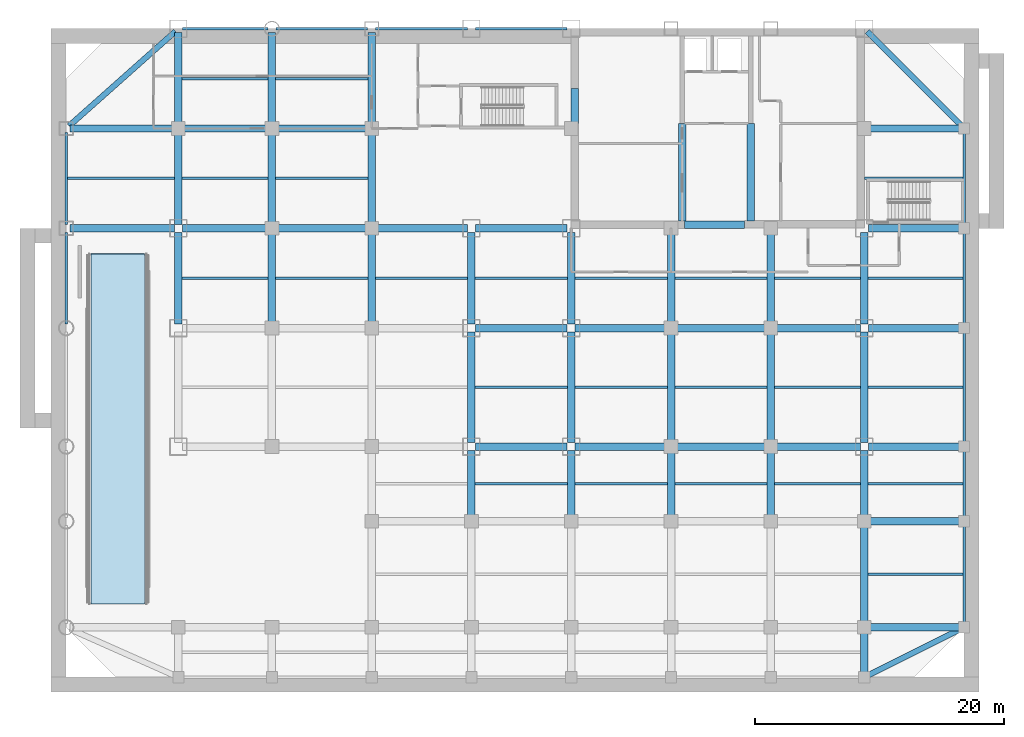
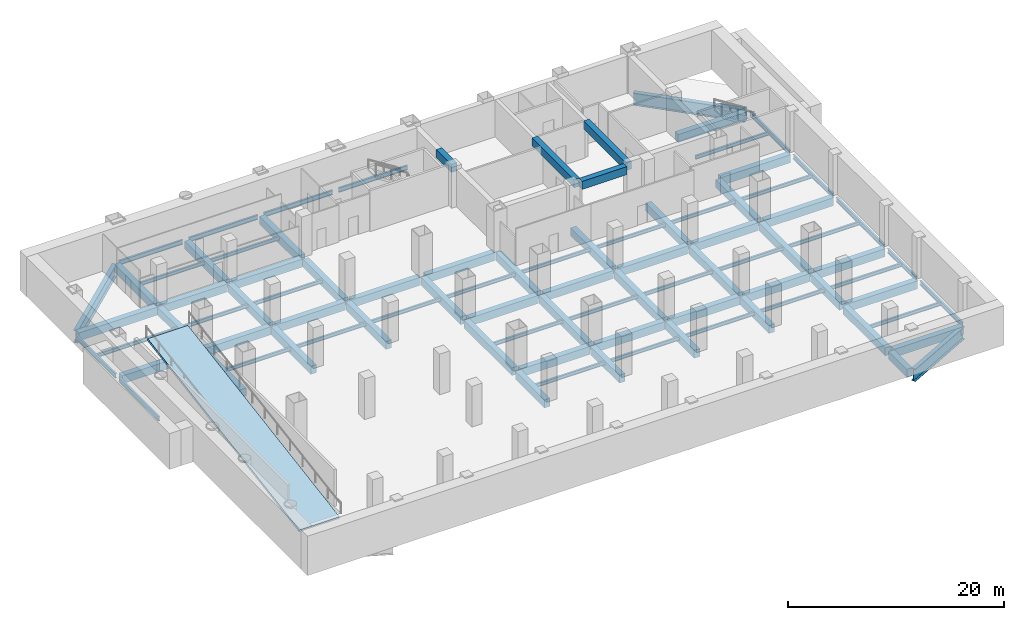
# One storey, part 2 of 8: 91 beams, 1 slab.
"""IFC4 building model written with IfcOpenShell, lengths in metres."""

import ifcopenshell
import ifcopenshell.guid

model = None  # the IFC model being written
_history = None  # IfcOwnerHistory: only IFC2X3 demands one
_inside = {}  # id of a spatial element -> (the spatial element, [elements in it])
_under = {}  # id of a project, library or spatial element -> (it, [spatial elements below it])
_declared = {}  # id of a project -> (the project, [libraries it declares])
_typed = {}  # id of a type object -> (the type object, [elements of that type])
_made_of = {}  # id of a material, layer set ... -> (it, [elements and type objects made of it])


def new_model(schema):
    """Start an empty IFC model of exactly this schema.

    Asked for "IFC4X3", IfcOpenShell would pick the latest addendum, in which some entities
    have other attributes; the version numbers below select the first issue.
    IFC2X3 requires an IfcOwnerHistory on every rooted entity: one is made here for all.
    """
    global model, _history
    if schema == "IFC4X3":
        model = ifcopenshell.file(schema_version=(4, 3, 0, 0))
    else:
        model = ifcopenshell.file(schema=schema)
    _inside.clear()
    _under.clear()
    _declared.clear()
    _typed.clear()
    _made_of.clear()
    _history = None
    if model.schema == "IFC2X3":
        org = make("IfcOrganization", Name="unknown")
        user = make(
            "IfcPersonAndOrganization",
            ThePerson=make("IfcPerson", FamilyName="unknown"),
            TheOrganization=org,
        )
        app = make(
            "IfcApplication",
            ApplicationDeveloper=org,
            Version="unknown",
            ApplicationFullName="unknown",
            ApplicationIdentifier="unknown",
        )
        _history = make(
            "IfcOwnerHistory",
            OwningUser=user,
            OwningApplication=app,
            ChangeAction="ADDED",
            CreationDate=0,
        )
    return model


def make(cls, **values):
    """One entity of the class cls with the attributes given. An attribute that is None is left unset."""
    return model.create_entity(
        cls, **{name: value for name, value in values.items() if value is not None}
    )


def rooted(cls, **values):
    """An entity with a GlobalId (a new one), such as an element, a storey or a relation."""
    return make(cls, GlobalId=ifcopenshell.guid.new(), OwnerHistory=_history, **values)


def si_unit(unit_type, name, prefix=None):
    """IfcSIUnit, for example si_unit("LENGTHUNIT", "METRE", prefix="MILLI")."""
    return make("IfcSIUnit", UnitType=unit_type, Prefix=prefix, Name=name)


def assignment(units):
    """IfcUnitAssignment: the units of a project."""
    return None if units is None else make("IfcUnitAssignment", Units=units)


def point(xyz):
    """IfcCartesianPoint."""
    return None if xyz is None else make("IfcCartesianPoint", Coordinates=xyz)


def direction(xyz):
    """IfcDirection."""
    return None if xyz is None else make("IfcDirection", DirectionRatios=xyz)


def frame(location, z_axis=None, x_axis=None):
    """IfcAxis2Placement3D, a coordinate frame: its origin and axes. An axis left out is left unset."""
    return make(
        "IfcAxis2Placement3D",
        Location=point(location),
        Axis=direction(z_axis),
        RefDirection=direction(x_axis),
    )


def frame_2d(location, x_axis=None):
    """IfcAxis2Placement2D, a coordinate frame in the plane: its origin and x axis."""
    return make(
        "IfcAxis2Placement2D", Location=point(location), RefDirection=direction(x_axis)
    )


def origin():
    """The frame at (0, 0, 0) with its axes left unset."""
    return frame((0.0, 0.0, 0.0))


def origin_2d():
    """The frame at (0, 0) in the plane with its x axis left unset."""
    return frame_2d((0.0, 0.0))


def place(relative_to, where):
    """IfcLocalPlacement: puts the frame where relative to a parent placement (None: the world)."""
    return make(
        "IfcLocalPlacement", PlacementRelTo=relative_to, RelativePlacement=where
    )


def context(
    kind, dimensions, precision=None, world=None, true_north=None, identifier=None
):
    """IfcGeometricRepresentationContext, for example the 3D "Model" context."""
    return make(
        "IfcGeometricRepresentationContext",
        ContextIdentifier=identifier,
        ContextType=kind,
        CoordinateSpaceDimension=dimensions,
        Precision=precision,
        WorldCoordinateSystem=world,
        TrueNorth=true_north,
    )


def subcontext(parent, identifier, kind, view, scale=None):
    """IfcGeometricRepresentationSubContext, for example "Body" below "Model"."""
    return make(
        "IfcGeometricRepresentationSubContext",
        ContextIdentifier=identifier,
        ContextType=kind,
        ParentContext=parent,
        TargetScale=scale,
        TargetView=view,
    )


def project(units=None, contexts=None):
    """IfcProject with its units and contexts."""
    return rooted(
        "IfcProject",
        Name="project",
        RepresentationContexts=contexts,
        UnitsInContext=assignment(units),
    )


def spatial(cls, under=None, at=None, **own):
    """A site, building, storey or space (cls), placed at a placement, below another one or the project."""
    s = rooted(cls, ObjectPlacement=at, **own)
    if under is not None:
        _under.setdefault(under.id(), (under, []))[1].append(s)
    return s


def polyline(points):
    """IfcPolyline through the points."""
    return make("IfcPolyline", Points=[point(p) for p in points])


def profile(cls, at=None, kind="AREA", **sizes):
    """A parametric profile (cls). Its sizes go by their IFC names, for example OverallWidth=200.0."""
    return make(cls, ProfileType=kind, Position=at, **sizes)


def rectangle(**sizes):
    """IfcRectangleProfileDef."""
    return profile("IfcRectangleProfileDef", **sizes)


def i_section(**sizes):
    """IfcIShapeProfileDef."""
    return profile("IfcIShapeProfileDef", **sizes)


def outline(outer, holes=None, kind="AREA"):
    """IfcArbitraryClosedProfileDef: a profile drawn as a closed curve; with holes, ...WithVoids."""
    if holes is None:
        return make("IfcArbitraryClosedProfileDef", ProfileType=kind, OuterCurve=outer)
    return make(
        "IfcArbitraryProfileDefWithVoids",
        ProfileType=kind,
        OuterCurve=outer,
        InnerCurves=holes,
    )


def extrude(swept, where, along, depth):
    """IfcExtrudedAreaSolid: the profile swept, set in the frame where, extruded along a direction by depth."""
    return make(
        "IfcExtrudedAreaSolid",
        SweptArea=swept,
        Position=where,
        ExtrudedDirection=direction(along),
        Depth=depth,
    )


def shape(context_of_items, identifier, shape_type, items):
    """IfcShapeRepresentation: the items that make up one representation, for example the "Body"."""
    return make(
        "IfcShapeRepresentation",
        ContextOfItems=context_of_items,
        RepresentationIdentifier=identifier,
        RepresentationType=shape_type,
        Items=items,
    )


def material(Name=None, Category=None):
    """IfcMaterial."""
    return make("IfcMaterial", Name=Name, Category=Category)


def layer(
    of_material, thickness, ventilated=None, Name=None, Category=None, Priority=None
):
    """IfcMaterialLayer: one layer of a wall or slab, of a material (None: an air gap)."""
    return make(
        "IfcMaterialLayer",
        Material=of_material,
        LayerThickness=thickness,
        IsVentilated=ventilated,
        Name=Name,
        Category=Category,
        Priority=Priority,
    )


def layer_set(layers, Name=None):
    """IfcMaterialLayerSet."""
    return make("IfcMaterialLayerSet", MaterialLayers=layers, LayerSetName=Name)


def material_profile(
    of_material, cross_section, Name=None, Category=None, Priority=None
):
    """IfcMaterialProfile: a cross section and its material."""
    return make(
        "IfcMaterialProfile",
        Name=Name,
        Material=of_material,
        Profile=cross_section,
        Priority=Priority,
        Category=Category,
    )


def profile_set(profiles, Name=None, composite=None):
    """IfcMaterialProfileSet."""
    return make(
        "IfcMaterialProfileSet",
        Name=Name,
        MaterialProfiles=profiles,
        CompositeProfile=composite,
    )


def made_of(thing, what):
    """Note that an element or type object is made of a material, layer set ...; save() writes the relation."""
    if what is not None:
        _made_of.setdefault(what.id(), (what, []))[1].append(thing)
    return thing


def type_object(cls, material=None, **own):
    """A type object (cls), such as IfcWallType, which elements share."""
    return made_of(rooted(cls, **own), material)


def element(
    cls,
    number,
    at=None,
    inside=None,
    cuts=None,
    type_object=None,
    material=None,
    context=None,
    identifier="Body",
    shape_type=None,
    held_by="IfcProductDefinitionShape",
    body=None,
    shapes=None,
    **own,
):
    """One element of the class cls, such as IfcWall. Its Tag is "e" and its number.

    at: its placement. inside: the storey or other place that contains it. cuts: it is an
    opening in that element (IfcRelVoidsElement). A single representation is given by context,
    identifier, shape_type and body (its items); several are given by shapes. held_by: the class
    of the entity that holds the representations. save() writes the other relations.
    """
    e = rooted(cls, Tag="e%d" % number, ObjectPlacement=at, **own)
    if body is not None:
        shapes = [shape(context, identifier, shape_type, body)]
    if shapes is not None:
        e.Representation = make(held_by, Representations=shapes)
    if inside is not None:
        _inside.setdefault(inside.id(), (inside, []))[1].append(e)
    if cuts is not None:
        rooted(
            "IfcRelVoidsElement", RelatingBuildingElement=cuts, RelatedOpeningElement=e
        )
    if type_object is not None:
        _typed.setdefault(type_object.id(), (type_object, []))[1].append(e)
    return made_of(e, material)


def aggregate(whole, parts):
    """IfcRelAggregates: a whole, such as a stair, and the parts it consists of."""
    return rooted("IfcRelAggregates", RelatingObject=whole, RelatedObjects=parts)


def save(model, path):
    """Write the relations noted so far, then the file.

    IfcRelAggregates (storeys below a building ...), IfcRelContainedInSpatialStructure (elements
    in a storey), IfcRelDefinesByType, IfcRelAssociatesMaterial and IfcRelDeclares: one each for
    every whole, place, type object, material and project.
    """
    for whole, parts in _under.values():
        aggregate(whole, parts)
    for where, things in _inside.values():
        rooted(
            "IfcRelContainedInSpatialStructure",
            RelatedElements=things,
            RelatingStructure=where,
        )
    for kind, things in _typed.values():
        rooted("IfcRelDefinesByType", RelatedObjects=things, RelatingType=kind)
    for what, things in _made_of.values():
        rooted("IfcRelAssociatesMaterial", RelatedObjects=things, RelatingMaterial=what)
    for by, libraries in _declared.values():
        rooted("IfcRelDeclares", RelatingContext=by, RelatedDefinitions=libraries)
    model.write(path)


model = new_model("IFC4")

# Units and contexts
model_context = context("Model", 3, precision=1e-05, world=origin(), true_north=direction((0.0, 1.0)))
body_context = subcontext(model_context, "Body", "Model", "MODEL_VIEW")
ifc_project = project(units=[si_unit("LENGTHUNIT", "METRE"), si_unit("AREAUNIT", "SQUARE_METRE"), si_unit("VOLUMEUNIT", "CUBIC_METRE"), si_unit("PLANEANGLEUNIT", "RADIAN"), si_unit("MASSUNIT", "GRAM", prefix="KILO")], contexts=[model_context])

# Site, building, storey
site_placement = place(None, origin())
site = spatial("IfcSite", under=ifc_project, at=site_placement, CompositionType="ELEMENT")
building_placement = place(site_placement, origin())
building = spatial("IfcBuilding", under=site, at=building_placement, Name="Qianrong Seaharbour Tower", CompositionType="ELEMENT")
storey_placement = place(building_placement, frame((0.0, 0.0, -4.60009765625)))
storey = spatial("IfcBuildingStorey", under=building, at=storey_placement, Name="B01", CompositionType="ELEMENT", Elevation=-4.60009765625)

# Beams
ifc_material_1 = material(Name="Structural steel SN400B", Category="steel")
ifc_material_profile_1 = material_profile(ifc_material_1, i_section(OverallWidth=0.199951171875, OverallDepth=0.39990234375, WebThickness=0.008056640625, FlangeThickness=0.012939453125, FilletRadius=0.01611328125, at=origin_2d()), Name="H400x200x8x13")
ifc_profile_set_1 = profile_set([ifc_material_profile_1], Name="Structural steel SN400B")
beam_type_1 = type_object("IfcBeamType", Name="BM-J-400", PredefinedType="JOIST", material=ifc_profile_set_1)
beam_1_placement = place(storey_placement, frame((0.10009765625, 40.0, -0.559814453125), z_axis=(1.0, 0.0, 0.0), x_axis=(0.0, 1.0, 0.0)))
element("IfcBeam", 1, at=beam_1_placement, inside=storey, type_object=beam_type_1, Name="B01 Composite Floor Joist G1-G2/GF-GG", PredefinedType="JOIST", context=body_context, shape_type="SweptSolid", body=[
    extrude(i_section(OverallWidth=0.199951171875, OverallDepth=0.39990234375, WebThickness=0.008056640625, FlangeThickness=0.012939453125, FilletRadius=0.01611328125, at=origin_2d()), origin(), (0.0, 0.0, 1.0), 8.599853515625),
])
for number, where, z_axis, x_axis, name in (
    (2, (9.300048828125, 32.0, -0.559814453125), (1.0, 0.0, 0.0), (0.0, 1.0, 0.0), "B01 Composite Floor Joist G2-G3/GE-GF"),
    (3, (9.300048828125, 40.0, -0.559814453125), (1.0, 0.0, 0.0), (0.0, 1.0, 0.0), "B01 Composite Floor Joist G2-G3/GF-GG"),
    (4, (9.300048828125, 48.0, -0.559814453125), (1.0, 0.0, 0.0), (0.0, 1.0, 0.0), "B01 Composite Floor Joist G2-G3/GG-GH"),
):
    element("IfcBeam", number, at=place(storey_placement, frame(where, z_axis=z_axis, x_axis=x_axis)), inside=storey, type_object=beam_type_1, Name=name, PredefinedType="JOIST", context=body_context, shape_type="SweptSolid", body=[
        extrude(i_section(OverallWidth=0.199951171875, OverallDepth=0.39990234375, WebThickness=0.008056640625, FlangeThickness=0.012939453125, FilletRadius=0.01611328125, at=origin_2d()), origin(), (0.0, 0.0, 1.0), 6.89990234375),
    ])
for number, where, z_axis, x_axis, name in (
    (5, (16.800048828125, 32.0, -0.559814453125), (1.0, 0.0, 0.0), (0.0, 1.0, 0.0), "B01 Composite Floor Joist G3-G4/GE-GF"),
    (6, (16.800048828125, 40.0, -0.559814453125), (1.0, 0.0, 0.0), (0.0, 1.0, 0.0), "B01 Composite Floor Joist G3-G4/GF-GG"),
    (7, (16.800048828125, 48.0, -0.559814453125), (1.0, 0.0, 0.0), (0.0, 1.0, 0.0), "B01 Composite Floor Joist G3-G4/GG-GH"),
    (8, (24.800048828125, 32.0, -0.559814453125), (1.0, 0.0, 0.0), (0.0, 1.0, 0.0), "B01 Composite Floor Joist G4-G5/GE-GF"),
    (9, (32.800048828125, 15.5, -0.559814453125), (1.0, 0.0, 0.0), (0.0, 1.0, 0.0), "B01 Composite Floor Joist G5-G6/GC-GD"),
    (10, (32.800048828125, 23.25, -0.559814453125), (1.0, 0.0, 0.0), (0.0, 1.0, 0.0), "B01 Composite Floor Joist G5-G6/GD-GE"),
    (11, (32.800048828125, 32.0, -0.559814453125), (1.0, 0.0, 0.0), (0.0, 1.0, 0.0), "B01 Composite Floor Joist G5-G6/GE-GF"),
    (12, (40.800048828125, 15.5, -0.559814453125), (1.0, 0.0, 0.0), (0.0, 1.0, 0.0), "B01 Composite Floor Joist G6-G7/GC-GD"),
    (13, (40.800048828125, 23.25, -0.559814453125), (1.0, 0.0, 0.0), (0.0, 1.0, 0.0), "B01 Composite Floor Joist G6-G7/GD-GE"),
    (14, (40.800048828125, 32.0, -0.559814453125), (1.0, 0.0, 0.0), (0.0, 1.0, 0.0), "B01 Composite Floor Joist G6-G7/GE-GF"),
    (15, (48.800048828125, 15.5, -0.559814453125), (1.0, 0.0, 0.0), (0.0, 1.0, 0.0), "B01 Composite Floor Joist G7-G8/GC-GD"),
    (16, (48.800048828125, 23.25, -0.559814453125), (1.0, 0.0, 0.0), (0.0, 1.0, 0.0), "B01 Composite Floor Joist G7-G8/GD-GE"),
    (17, (48.800048828125, 32.0, -0.559814453125), (1.0, 0.0, 0.0), (0.0, 1.0, 0.0), "B01 Composite Floor Joist G7-G8/GE-GF"),
):
    element("IfcBeam", number, at=place(storey_placement, frame(where, z_axis=z_axis, x_axis=x_axis)), inside=storey, type_object=beam_type_1, Name=name, PredefinedType="JOIST", context=body_context, shape_type="SweptSolid", body=[
        extrude(i_section(OverallWidth=0.199951171875, OverallDepth=0.39990234375, WebThickness=0.008056640625, FlangeThickness=0.012939453125, FilletRadius=0.01611328125, at=origin_2d()), origin(), (0.0, 0.0, 1.0), 7.39990234375),
    ])
for number, where, z_axis, x_axis, name in (
    (18, (56.800048828125, 15.5, -0.559814453125), (1.0, 0.0, 0.0), (0.0, 1.0, 0.0), "B01 Composite Floor Joist G8-G9/GC-GD"),
    (19, (56.800048828125, 23.25, -0.559814453125), (1.0, 0.0, 0.0), (0.0, 1.0, 0.0), "B01 Composite Floor Joist G8-G9/GD-GE"),
    (20, (56.800048828125, 32.0, -0.559814453125), (1.0, 0.0, 0.0), (0.0, 1.0, 0.0), "B01 Composite Floor Joist G8-G9/GE-GF"),
):
    element("IfcBeam", number, at=place(storey_placement, frame(where, z_axis=z_axis, x_axis=x_axis)), inside=storey, type_object=beam_type_1, Name=name, PredefinedType="JOIST", context=body_context, shape_type="SweptSolid", body=[
        extrude(i_section(OverallWidth=0.199951171875, OverallDepth=0.39990234375, WebThickness=0.008056640625, FlangeThickness=0.012939453125, FilletRadius=0.01611328125, at=origin_2d()), origin(), (0.0, 0.0, 1.0), 6.89990234375),
    ])
for number, where, z_axis, x_axis, name in (
    (21, (64.300048828125, 8.25, -0.559814453125), (1.0, 0.0, 0.0), (0.0, 1.0, 0.0), "B01 Composite Floor Joist G9-G10/GB-GC"),
    (22, (64.300048828125, 15.5, -0.559814453125), (1.0, 0.0, 0.0), (0.0, 1.0, 0.0), "B01 Composite Floor Joist G9-G10/GC-GD"),
    (23, (64.300048828125, 23.25, -0.559814453125), (1.0, 0.0, 0.0), (0.0, 1.0, 0.0), "B01 Composite Floor Joist G9-G10/GD-GE"),
    (24, (64.300048828125, 32.0, -0.559814453125), (1.0, 0.0, 0.0), (0.0, 1.0, 0.0), "B01 Composite Floor Joist G9-G10/GE-GF"),
):
    element("IfcBeam", number, at=place(storey_placement, frame(where, z_axis=z_axis, x_axis=x_axis)), inside=storey, type_object=beam_type_1, Name=name, PredefinedType="JOIST", context=body_context, shape_type="SweptSolid", body=[
        extrude(i_section(OverallWidth=0.199951171875, OverallDepth=0.39990234375, WebThickness=0.008056640625, FlangeThickness=0.012939453125, FilletRadius=0.01611328125, at=origin_2d()), origin(), (0.0, 0.0, 1.0), 7.599853515625),
    ])
beam_2_placement = place(storey_placement, frame((64.0, 40.0, -0.559814453125), z_axis=(1.0, 0.0, 0.0), x_axis=(0.0, 1.0, 0.0)))
element("IfcBeam", 25, at=beam_2_placement, inside=storey, type_object=beam_type_1, Name="B01 Composite Floor Joist G9-G10/GF-GG", PredefinedType="JOIST", context=body_context, shape_type="SweptSolid", body=[
    extrude(i_section(OverallWidth=0.199951171875, OverallDepth=0.39990234375, WebThickness=0.008056640625, FlangeThickness=0.012939453125, FilletRadius=0.01611328125, at=origin_2d()), origin(), (0.0, 0.0, 1.0), 7.89990234375),
])
ifc_material_2 = material(Name="Concrete C70/85", Category="concrete")
ifc_material_profile_2 = material_profile(ifc_material_2, rectangle(XDim=0.60009765625, YDim=0.89990234375, at=origin_2d()), Name="RC600x900")
ifc_profile_set_2 = profile_set([ifc_material_profile_2], Name="Concrete C70/85")
beam_type_2 = type_object("IfcBeamType", Name="BM-LINTEL-900", PredefinedType="LINTEL", material=ifc_profile_set_2)
beam_3_placement = place(storey_placement, frame((40.7900390625, 44.39990234375, 3.72998046875), z_axis=(0.0, 1.0, 0.0), x_axis=(-1.0, 0.0, 0.0)))
element("IfcBeam", 26, at=beam_3_placement, inside=storey, type_object=beam_type_2, Name="B01 Core Coupling Lintel Beam West", PredefinedType="LINTEL", context=body_context, shape_type="SweptSolid", body=[
    extrude(rectangle(XDim=0.60009765625, YDim=0.89990234375, at=origin_2d()), origin(), (0.0, 0.0, 1.0), 2.800048828125),
])
beam_4_placement = place(storey_placement, frame((49.60009765625, 36.2900390625, 3.72998046875), z_axis=(1.0, 0.0, 0.0), x_axis=(0.0, 1.0, 0.0)))
element("IfcBeam", 27, at=beam_4_placement, inside=storey, type_object=beam_type_2, Name="B01 Core Coupling Lintel Beam CBC", PredefinedType="LINTEL", context=body_context, shape_type="SweptSolid", body=[
    extrude(rectangle(XDim=0.60009765625, YDim=0.89990234375, at=origin_2d()), origin(), (0.0, 0.0, 1.0), 4.7998046875),
])
for number, where, z_axis, x_axis, name in (
    (28, (49.39990234375, 36.580078125, 3.72998046875), (0.0, 1.0, 0.0), (-1.0, 0.0, 0.0), "B01 Internal Core Coupling Beam IW1"),
    (29, (54.89990234375, 36.580078125, 3.72998046875), (0.0, 1.0, 0.0), (-1.0, 0.0, 0.0), "B01 Internal Core Coupling Beam IW2"),
):
    element("IfcBeam", number, at=place(storey_placement, frame(where, z_axis=z_axis, x_axis=x_axis)), inside=storey, type_object=beam_type_2, Name=name, PredefinedType="LINTEL", context=body_context, shape_type="SweptSolid", body=[
        extrude(rectangle(XDim=0.60009765625, YDim=0.89990234375, at=origin_2d()), origin(), (0.0, 0.0, 1.0), 7.81982421875),
    ])
ifc_material_3 = material(Name="Concrete C50/60", Category="concrete")
ifc_material_profile_3 = material_profile(ifc_material_3, rectangle(XDim=0.60009765625, YDim=0.89990234375, at=origin_2d()), Name="RC600x900")
ifc_profile_set_3 = profile_set([ifc_material_profile_3], Name="Concrete C50/60")
beam_type_3 = type_object("IfcBeamType", Name="BM-RC-T900", PredefinedType="T_BEAM", material=ifc_profile_set_3)
for number, where, z_axis, x_axis, name in (
    (30, (64.320068359375, 4.0, -0.809814453125), (1.0, 0.0, 0.0), (0.0, 1.0, 0.0), "B01 Primary Girder GB G9-G10"),
    (31, (64.320068359375, 12.5, -0.809814453125), (1.0, 0.0, 0.0), (0.0, 1.0, 0.0), "B01 Primary Girder GC G9-G10"),
    (32, (32.820068359375, 18.5, -0.809814453125), (1.0, 0.0, 0.0), (0.0, 1.0, 0.0), "B01 Primary Girder GD G5-G6"),
    (33, (40.820068359375, 18.5, -0.809814453125), (1.0, 0.0, 0.0), (0.0, 1.0, 0.0), "B01 Primary Girder GD G6-G7"),
    (34, (48.820068359375, 18.5, -0.809814453125), (1.0, 0.0, 0.0), (0.0, 1.0, 0.0), "B01 Primary Girder GD G7-G8"),
):
    element("IfcBeam", number, at=place(storey_placement, frame(where, z_axis=z_axis, x_axis=x_axis)), inside=storey, type_object=beam_type_3, Name=name, PredefinedType="T_BEAM", context=body_context, shape_type="SweptSolid", body=[
        extrude(rectangle(XDim=0.60009765625, YDim=0.89990234375, at=origin_2d()), origin(), (0.0, 0.0, 1.0), 7.35986328125),
    ])
beam_5_placement = place(storey_placement, frame((56.820068359375, 18.5, -0.809814453125), z_axis=(1.0, 0.0, 0.0), x_axis=(0.0, 1.0, 0.0)))
element("IfcBeam", 35, at=beam_5_placement, inside=storey, type_object=beam_type_3, Name="B01 Primary Girder GD G8-G9", PredefinedType="T_BEAM", context=body_context, shape_type="SweptSolid", body=[
    extrude(rectangle(XDim=0.60009765625, YDim=0.89990234375, at=origin_2d()), origin(), (0.0, 0.0, 1.0), 6.85986328125),
])
for number, where, z_axis, x_axis, name in (
    (36, (64.320068359375, 18.5, -0.809814453125), (1.0, 0.0, 0.0), (0.0, 1.0, 0.0), "B01 Primary Girder GD G9-G10"),
    (37, (32.820068359375, 28.0, -0.809814453125), (1.0, 0.0, 0.0), (0.0, 1.0, 0.0), "B01 Primary Girder GE G5-G6"),
    (38, (40.820068359375, 28.0, -0.809814453125), (1.0, 0.0, 0.0), (0.0, 1.0, 0.0), "B01 Primary Girder GE G6-G7"),
    (39, (48.820068359375, 28.0, -0.809814453125), (1.0, 0.0, 0.0), (0.0, 1.0, 0.0), "B01 Primary Girder GE G7-G8"),
):
    element("IfcBeam", number, at=place(storey_placement, frame(where, z_axis=z_axis, x_axis=x_axis)), inside=storey, type_object=beam_type_3, Name=name, PredefinedType="T_BEAM", context=body_context, shape_type="SweptSolid", body=[
        extrude(rectangle(XDim=0.60009765625, YDim=0.89990234375, at=origin_2d()), origin(), (0.0, 0.0, 1.0), 7.35986328125),
    ])
beam_6_placement = place(storey_placement, frame((56.820068359375, 28.0, -0.809814453125), z_axis=(1.0, 0.0, 0.0), x_axis=(0.0, 1.0, 0.0)))
element("IfcBeam", 40, at=beam_6_placement, inside=storey, type_object=beam_type_3, Name="B01 Primary Girder GE G8-G9", PredefinedType="T_BEAM", context=body_context, shape_type="SweptSolid", body=[
    extrude(rectangle(XDim=0.60009765625, YDim=0.89990234375, at=origin_2d()), origin(), (0.0, 0.0, 1.0), 6.85986328125),
])
beam_7_placement = place(storey_placement, frame((64.320068359375, 28.0, -0.809814453125), z_axis=(1.0, 0.0, 0.0), x_axis=(0.0, 1.0, 0.0)))
element("IfcBeam", 41, at=beam_7_placement, inside=storey, type_object=beam_type_3, Name="B01 Primary Girder GE G9-G10", PredefinedType="T_BEAM", context=body_context, shape_type="SweptSolid", body=[
    extrude(rectangle(XDim=0.60009765625, YDim=0.89990234375, at=origin_2d()), origin(), (0.0, 0.0, 1.0), 7.35986328125),
])
beam_8_placement = place(storey_placement, frame((0.320068359375, 36.0, -0.809814453125), z_axis=(1.0, 0.0, 0.0), x_axis=(0.0, 1.0, 0.0)))
element("IfcBeam", 42, at=beam_8_placement, inside=storey, type_object=beam_type_3, Name="B01 Primary Girder GF G1-G2", PredefinedType="T_BEAM", context=body_context, shape_type="SweptSolid", body=[
    extrude(rectangle(XDim=0.60009765625, YDim=0.89990234375, at=origin_2d()), origin(), (0.0, 0.0, 1.0), 8.35986328125),
])
beam_9_placement = place(storey_placement, frame((9.320068359375, 36.0, -0.809814453125), z_axis=(1.0, 0.0, 0.0), x_axis=(0.0, 1.0, 0.0)))
element("IfcBeam", 43, at=beam_9_placement, inside=storey, type_object=beam_type_3, Name="B01 Primary Girder GF G2-G3", PredefinedType="T_BEAM", context=body_context, shape_type="SweptSolid", body=[
    extrude(rectangle(XDim=0.60009765625, YDim=0.89990234375, at=origin_2d()), origin(), (0.0, 0.0, 1.0), 6.85986328125),
])
for number, where, z_axis, x_axis, name in (
    (44, (16.820068359375, 36.0, -0.809814453125), (1.0, 0.0, 0.0), (0.0, 1.0, 0.0), "B01 Primary Girder GF G3-G4"),
    (45, (24.820068359375, 36.0, -0.809814453125), (1.0, 0.0, 0.0), (0.0, 1.0, 0.0), "B01 Primary Girder GF G4-G5"),
    (46, (32.820068359375, 36.0, -0.809814453125), (1.0, 0.0, 0.0), (0.0, 1.0, 0.0), "B01 Primary Girder GF G5-G6"),
    (47, (64.320068359375, 36.0, -0.809814453125), (1.0, 0.0, 0.0), (0.0, 1.0, 0.0), "B01 Primary Girder GF G9-G10"),
):
    element("IfcBeam", number, at=place(storey_placement, frame(where, z_axis=z_axis, x_axis=x_axis)), inside=storey, type_object=beam_type_3, Name=name, PredefinedType="T_BEAM", context=body_context, shape_type="SweptSolid", body=[
        extrude(rectangle(XDim=0.60009765625, YDim=0.89990234375, at=origin_2d()), origin(), (0.0, 0.0, 1.0), 7.35986328125),
    ])
beam_10_placement = place(storey_placement, frame((0.320068359375, 44.0, -0.809814453125), z_axis=(1.0, 0.0, 0.0), x_axis=(0.0, 1.0, 0.0)))
element("IfcBeam", 48, at=beam_10_placement, inside=storey, type_object=beam_type_3, Name="B01 Primary Girder GG G1-G2", PredefinedType="T_BEAM", context=body_context, shape_type="SweptSolid", body=[
    extrude(rectangle(XDim=0.60009765625, YDim=0.89990234375, at=origin_2d()), origin(), (0.0, 0.0, 1.0), 8.35986328125),
])
beam_11_placement = place(storey_placement, frame((9.320068359375, 44.0, -0.809814453125), z_axis=(1.0, 0.0, 0.0), x_axis=(0.0, 1.0, 0.0)))
element("IfcBeam", 49, at=beam_11_placement, inside=storey, type_object=beam_type_3, Name="B01 Primary Girder GG G2-G3", PredefinedType="T_BEAM", context=body_context, shape_type="SweptSolid", body=[
    extrude(rectangle(XDim=0.60009765625, YDim=0.89990234375, at=origin_2d()), origin(), (0.0, 0.0, 1.0), 6.85986328125),
])
for number, where, z_axis, x_axis, name in (
    (50, (16.820068359375, 44.0, -0.809814453125), (1.0, 0.0, 0.0), (0.0, 1.0, 0.0), "B01 Primary Girder GG G3-G4"),
    (51, (64.320068359375, 44.0, -0.809814453125), (1.0, 0.0, 0.0), (0.0, 1.0, 0.0), "B01 Primary Girder GG G9-G10"),
    (52, (9.0, 28.320068359375, -0.809814453125), (0.0, 1.0, 0.0), (-1.0, 0.0, 0.0), "B01 Primary Girder G2 GE-GF"),
    (53, (9.0, 36.320068359375, -0.809814453125), (0.0, 1.0, 0.0), (-1.0, 0.0, 0.0), "B01 Primary Girder G2 GF-GG"),
    (54, (9.0, 44.320068359375, -0.809814453125), (0.0, 1.0, 0.0), (-1.0, 0.0, 0.0), "B01 Primary Girder G2 GG-GH"),
    (55, (16.5, 28.320068359375, -0.809814453125), (0.0, 1.0, 0.0), (-1.0, 0.0, 0.0), "B01 Primary Girder G3 GE-GF"),
    (56, (16.5, 36.320068359375, -0.809814453125), (0.0, 1.0, 0.0), (-1.0, 0.0, 0.0), "B01 Primary Girder G3 GF-GG"),
    (57, (16.5, 44.320068359375, -0.809814453125), (0.0, 1.0, 0.0), (-1.0, 0.0, 0.0), "B01 Primary Girder G3 GG-GH"),
    (58, (24.5, 28.320068359375, -0.809814453125), (0.0, 1.0, 0.0), (-1.0, 0.0, 0.0), "B01 Primary Girder G4 GE-GF"),
    (59, (24.5, 36.320068359375, -0.809814453125), (0.0, 1.0, 0.0), (-1.0, 0.0, 0.0), "B01 Primary Girder G4 GF-GG"),
    (60, (24.5, 44.320068359375, -0.809814453125), (0.0, 1.0, 0.0), (-1.0, 0.0, 0.0), "B01 Primary Girder G4 GG-GH"),
):
    element("IfcBeam", number, at=place(storey_placement, frame(where, z_axis=z_axis, x_axis=x_axis)), inside=storey, type_object=beam_type_3, Name=name, PredefinedType="T_BEAM", context=body_context, shape_type="SweptSolid", body=[
        extrude(rectangle(XDim=0.60009765625, YDim=0.89990234375, at=origin_2d()), origin(), (0.0, 0.0, 1.0), 7.35986328125),
    ])
beam_12_placement = place(storey_placement, frame((32.5, 12.820068359375, -0.809814453125), z_axis=(0.0, 1.0, 0.0), x_axis=(-1.0, 0.0, 0.0)))
element("IfcBeam", 61, at=beam_12_placement, inside=storey, type_object=beam_type_3, Name="B01 Primary Girder G5 GC-GD", PredefinedType="T_BEAM", context=body_context, shape_type="SweptSolid", body=[
    extrude(rectangle(XDim=0.60009765625, YDim=0.89990234375, at=origin_2d()), origin(), (0.0, 0.0, 1.0), 5.35986328125),
])
beam_13_placement = place(storey_placement, frame((32.5, 18.820068359375, -0.809814453125), z_axis=(0.0, 1.0, 0.0), x_axis=(-1.0, 0.0, 0.0)))
element("IfcBeam", 62, at=beam_13_placement, inside=storey, type_object=beam_type_3, Name="B01 Primary Girder G5 GD-GE", PredefinedType="T_BEAM", context=body_context, shape_type="SweptSolid", body=[
    extrude(rectangle(XDim=0.60009765625, YDim=0.89990234375, at=origin_2d()), origin(), (0.0, 0.0, 1.0), 8.85986328125),
])
beam_14_placement = place(storey_placement, frame((32.5, 28.320068359375, -0.809814453125), z_axis=(0.0, 1.0, 0.0), x_axis=(-1.0, 0.0, 0.0)))
element("IfcBeam", 63, at=beam_14_placement, inside=storey, type_object=beam_type_3, Name="B01 Primary Girder G5 GE-GF", PredefinedType="T_BEAM", context=body_context, shape_type="SweptSolid", body=[
    extrude(rectangle(XDim=0.60009765625, YDim=0.89990234375, at=origin_2d()), origin(), (0.0, 0.0, 1.0), 7.35986328125),
])
beam_15_placement = place(storey_placement, frame((40.5, 12.820068359375, -0.809814453125), z_axis=(0.0, 1.0, 0.0), x_axis=(-1.0, 0.0, 0.0)))
element("IfcBeam", 64, at=beam_15_placement, inside=storey, type_object=beam_type_3, Name="B01 Primary Girder G6 GC-GD", PredefinedType="T_BEAM", context=body_context, shape_type="SweptSolid", body=[
    extrude(rectangle(XDim=0.60009765625, YDim=0.89990234375, at=origin_2d()), origin(), (0.0, 0.0, 1.0), 5.35986328125),
])
beam_16_placement = place(storey_placement, frame((40.5, 18.820068359375, -0.809814453125), z_axis=(0.0, 1.0, 0.0), x_axis=(-1.0, 0.0, 0.0)))
element("IfcBeam", 65, at=beam_16_placement, inside=storey, type_object=beam_type_3, Name="B01 Primary Girder G6 GD-GE", PredefinedType="T_BEAM", context=body_context, shape_type="SweptSolid", body=[
    extrude(rectangle(XDim=0.60009765625, YDim=0.89990234375, at=origin_2d()), origin(), (0.0, 0.0, 1.0), 8.85986328125),
])
beam_17_placement = place(storey_placement, frame((40.5, 28.320068359375, -0.809814453125), z_axis=(0.0, 1.0, 0.0), x_axis=(-1.0, 0.0, 0.0)))
element("IfcBeam", 66, at=beam_17_placement, inside=storey, type_object=beam_type_3, Name="B01 Primary Girder G6 GE-GF", PredefinedType="T_BEAM", context=body_context, shape_type="SweptSolid", body=[
    extrude(rectangle(XDim=0.60009765625, YDim=0.89990234375, at=origin_2d()), origin(), (0.0, 0.0, 1.0), 7.35986328125),
])
beam_18_placement = place(storey_placement, frame((48.5, 12.820068359375, -0.809814453125), z_axis=(0.0, 1.0, 0.0), x_axis=(-1.0, 0.0, 0.0)))
element("IfcBeam", 67, at=beam_18_placement, inside=storey, type_object=beam_type_3, Name="B01 Primary Girder G7 GC-GD", PredefinedType="T_BEAM", context=body_context, shape_type="SweptSolid", body=[
    extrude(rectangle(XDim=0.60009765625, YDim=0.89990234375, at=origin_2d()), origin(), (0.0, 0.0, 1.0), 5.35986328125),
])
beam_19_placement = place(storey_placement, frame((48.5, 18.820068359375, -0.809814453125), z_axis=(0.0, 1.0, 0.0), x_axis=(-1.0, 0.0, 0.0)))
element("IfcBeam", 68, at=beam_19_placement, inside=storey, type_object=beam_type_3, Name="B01 Primary Girder G7 GD-GE", PredefinedType="T_BEAM", context=body_context, shape_type="SweptSolid", body=[
    extrude(rectangle(XDim=0.60009765625, YDim=0.89990234375, at=origin_2d()), origin(), (0.0, 0.0, 1.0), 8.85986328125),
])
beam_20_placement = place(storey_placement, frame((48.5, 28.320068359375, -0.809814453125), z_axis=(0.0, 1.0, 0.0), x_axis=(-1.0, 0.0, 0.0)))
element("IfcBeam", 69, at=beam_20_placement, inside=storey, type_object=beam_type_3, Name="B01 Primary Girder G7 GE-GF", PredefinedType="T_BEAM", context=body_context, shape_type="SweptSolid", body=[
    extrude(rectangle(XDim=0.60009765625, YDim=0.89990234375, at=origin_2d()), origin(), (0.0, 0.0, 1.0), 7.35986328125),
])
beam_21_placement = place(storey_placement, frame((56.5, 12.820068359375, -0.809814453125), z_axis=(0.0, 1.0, 0.0), x_axis=(-1.0, 0.0, 0.0)))
element("IfcBeam", 70, at=beam_21_placement, inside=storey, type_object=beam_type_3, Name="B01 Primary Girder G8 GC-GD", PredefinedType="T_BEAM", context=body_context, shape_type="SweptSolid", body=[
    extrude(rectangle(XDim=0.60009765625, YDim=0.89990234375, at=origin_2d()), origin(), (0.0, 0.0, 1.0), 5.35986328125),
])
beam_22_placement = place(storey_placement, frame((56.5, 18.820068359375, -0.809814453125), z_axis=(0.0, 1.0, 0.0), x_axis=(-1.0, 0.0, 0.0)))
element("IfcBeam", 71, at=beam_22_placement, inside=storey, type_object=beam_type_3, Name="B01 Primary Girder G8 GD-GE", PredefinedType="T_BEAM", context=body_context, shape_type="SweptSolid", body=[
    extrude(rectangle(XDim=0.60009765625, YDim=0.89990234375, at=origin_2d()), origin(), (0.0, 0.0, 1.0), 8.85986328125),
])
beam_23_placement = place(storey_placement, frame((56.5, 28.320068359375, -0.809814453125), z_axis=(0.0, 1.0, 0.0), x_axis=(-1.0, 0.0, 0.0)))
element("IfcBeam", 72, at=beam_23_placement, inside=storey, type_object=beam_type_3, Name="B01 Primary Girder G8 GE-GF", PredefinedType="T_BEAM", context=body_context, shape_type="SweptSolid", body=[
    extrude(rectangle(XDim=0.60009765625, YDim=0.89990234375, at=origin_2d()), origin(), (0.0, 0.0, 1.0), 7.35986328125),
])
beam_24_placement = place(storey_placement, frame((64.0, 0.320068359375, -0.809814453125), z_axis=(0.0, 1.0, 0.0), x_axis=(-1.0, 0.0, 0.0)))
element("IfcBeam", 73, at=beam_24_placement, inside=storey, type_object=beam_type_3, Name="B01 Primary Girder G9 GA-GB", PredefinedType="T_BEAM", context=body_context, shape_type="SweptSolid", body=[
    extrude(rectangle(XDim=0.60009765625, YDim=0.89990234375, at=origin_2d()), origin(), (0.0, 0.0, 1.0), 3.35986328125),
])
beam_25_placement = place(storey_placement, frame((64.0, 4.320068359375, -0.809814453125), z_axis=(0.0, 1.0, 0.0), x_axis=(-1.0, 0.0, 0.0)))
element("IfcBeam", 74, at=beam_25_placement, inside=storey, type_object=beam_type_3, Name="B01 Primary Girder G9 GB-GC", PredefinedType="T_BEAM", context=body_context, shape_type="SweptSolid", body=[
    extrude(rectangle(XDim=0.60009765625, YDim=0.89990234375, at=origin_2d()), origin(), (0.0, 0.0, 1.0), 7.85986328125),
])
beam_26_placement = place(storey_placement, frame((64.0, 12.820068359375, -0.809814453125), z_axis=(0.0, 1.0, 0.0), x_axis=(-1.0, 0.0, 0.0)))
element("IfcBeam", 75, at=beam_26_placement, inside=storey, type_object=beam_type_3, Name="B01 Primary Girder G9 GC-GD", PredefinedType="T_BEAM", context=body_context, shape_type="SweptSolid", body=[
    extrude(rectangle(XDim=0.60009765625, YDim=0.89990234375, at=origin_2d()), origin(), (0.0, 0.0, 1.0), 5.35986328125),
])
beam_27_placement = place(storey_placement, frame((64.0, 18.820068359375, -0.809814453125), z_axis=(0.0, 1.0, 0.0), x_axis=(-1.0, 0.0, 0.0)))
element("IfcBeam", 76, at=beam_27_placement, inside=storey, type_object=beam_type_3, Name="B01 Primary Girder G9 GD-GE", PredefinedType="T_BEAM", context=body_context, shape_type="SweptSolid", body=[
    extrude(rectangle(XDim=0.60009765625, YDim=0.89990234375, at=origin_2d()), origin(), (0.0, 0.0, 1.0), 8.85986328125),
])
beam_28_placement = place(storey_placement, frame((64.0, 28.320068359375, -0.809814453125), z_axis=(0.0, 1.0, 0.0), x_axis=(-1.0, 0.0, 0.0)))
element("IfcBeam", 77, at=beam_28_placement, inside=storey, type_object=beam_type_3, Name="B01 Primary Girder G9 GE-GF", PredefinedType="T_BEAM", context=body_context, shape_type="SweptSolid", body=[
    extrude(rectangle(XDim=0.60009765625, YDim=0.89990234375, at=origin_2d()), origin(), (0.0, 0.0, 1.0), 7.35986328125),
])
ifc_material_4 = material(Name="Structural steel SN490B", Category="steel")
ifc_material_profile_4 = material_profile(ifc_material_4, i_section(OverallWidth=0.199951171875, OverallDepth=0.5, WebThickness=0.010009765625, FlangeThickness=0.01611328125, FilletRadius=0.02001953125, at=origin_2d()), Name="H500x200x10x16")
ifc_profile_set_4 = profile_set([ifc_material_profile_4], Name="Structural steel SN490B")
beam_type_4 = type_object("IfcBeamType", Name="BM-SP-500", PredefinedType="SPANDREL", material=ifc_profile_set_4)
beam_29_placement = place(storey_placement, frame((9.320068359375, 52.0, -0.60986328125), z_axis=(1.0, 0.0, 0.0), x_axis=(0.0, 1.0, 0.0)))
element("IfcBeam", 78, at=beam_29_placement, inside=storey, type_object=beam_type_4, Name="B01 Spandrel Girder GH G2-G3", PredefinedType="SPANDREL", context=body_context, shape_type="SweptSolid", body=[
    extrude(i_section(OverallWidth=0.199951171875, OverallDepth=0.5, WebThickness=0.010009765625, FlangeThickness=0.01611328125, FilletRadius=0.02001953125, at=origin_2d()), origin(), (0.0, 0.0, 1.0), 6.85986328125),
])
for number, where, z_axis, x_axis, name in (
    (79, (16.820068359375, 52.0, -0.60986328125), (1.0, 0.0, 0.0), (0.0, 1.0, 0.0), "B01 Spandrel Girder GH G3-G4"),
    (80, (24.820068359375, 52.0, -0.60986328125), (1.0, 0.0, 0.0), (0.0, 1.0, 0.0), "B01 Spandrel Girder GH G4-G5"),
    (81, (32.820068359375, 52.0, -0.60986328125), (1.0, 0.0, 0.0), (0.0, 1.0, 0.0), "B01 Spandrel Girder GH G5-G6"),
    (82, (0.0, 28.320068359375, -0.60986328125), (0.0, 1.0, 0.0), (-1.0, 0.0, 0.0), "B01 Spandrel Girder G1 GE-GF"),
    (83, (0.0, 36.320068359375, -0.60986328125), (0.0, 1.0, 0.0), (-1.0, 0.0, 0.0), "B01 Spandrel Girder G1 GF-GG"),
):
    element("IfcBeam", number, at=place(storey_placement, frame(where, z_axis=z_axis, x_axis=x_axis)), inside=storey, type_object=beam_type_4, Name=name, PredefinedType="SPANDREL", context=body_context, shape_type="SweptSolid", body=[
        extrude(i_section(OverallWidth=0.199951171875, OverallDepth=0.5, WebThickness=0.010009765625, FlangeThickness=0.01611328125, FilletRadius=0.02001953125, at=origin_2d()), origin(), (0.0, 0.0, 1.0), 7.35986328125),
    ])
beam_30_placement = place(storey_placement, frame((72.0, 4.320068359375, -0.60986328125), z_axis=(0.0, 1.0, 0.0), x_axis=(-1.0, 0.0, 0.0)))
element("IfcBeam", 84, at=beam_30_placement, inside=storey, type_object=beam_type_4, Name="B01 Spandrel Girder G10 GB-GC", PredefinedType="SPANDREL", context=body_context, shape_type="SweptSolid", body=[
    extrude(i_section(OverallWidth=0.199951171875, OverallDepth=0.5, WebThickness=0.010009765625, FlangeThickness=0.01611328125, FilletRadius=0.02001953125, at=origin_2d()), origin(), (0.0, 0.0, 1.0), 7.85986328125),
])
beam_31_placement = place(storey_placement, frame((72.0, 12.820068359375, -0.60986328125), z_axis=(0.0, 1.0, 0.0), x_axis=(-1.0, 0.0, 0.0)))
element("IfcBeam", 85, at=beam_31_placement, inside=storey, type_object=beam_type_4, Name="B01 Spandrel Girder G10 GC-GD", PredefinedType="SPANDREL", context=body_context, shape_type="SweptSolid", body=[
    extrude(i_section(OverallWidth=0.199951171875, OverallDepth=0.5, WebThickness=0.010009765625, FlangeThickness=0.01611328125, FilletRadius=0.02001953125, at=origin_2d()), origin(), (0.0, 0.0, 1.0), 5.35986328125),
])
beam_32_placement = place(storey_placement, frame((72.0, 18.820068359375, -0.60986328125), z_axis=(0.0, 1.0, 0.0), x_axis=(-1.0, 0.0, 0.0)))
element("IfcBeam", 86, at=beam_32_placement, inside=storey, type_object=beam_type_4, Name="B01 Spandrel Girder G10 GD-GE", PredefinedType="SPANDREL", context=body_context, shape_type="SweptSolid", body=[
    extrude(i_section(OverallWidth=0.199951171875, OverallDepth=0.5, WebThickness=0.010009765625, FlangeThickness=0.01611328125, FilletRadius=0.02001953125, at=origin_2d()), origin(), (0.0, 0.0, 1.0), 8.85986328125),
])
for number, where, z_axis, x_axis, name in (
    (87, (72.0, 28.320068359375, -0.60986328125), (0.0, 1.0, 0.0), (-1.0, 0.0, 0.0), "B01 Spandrel Girder G10 GE-GF"),
    (88, (72.0, 36.320068359375, -0.60986328125), (0.0, 1.0, 0.0), (-1.0, 0.0, 0.0), "B01 Spandrel Girder G10 GF-GG"),
):
    element("IfcBeam", number, at=place(storey_placement, frame(where, z_axis=z_axis, x_axis=x_axis)), inside=storey, type_object=beam_type_4, Name=name, PredefinedType="SPANDREL", context=body_context, shape_type="SweptSolid", body=[
        extrude(i_section(OverallWidth=0.199951171875, OverallDepth=0.5, WebThickness=0.010009765625, FlangeThickness=0.01611328125, FilletRadius=0.02001953125, at=origin_2d()), origin(), (0.0, 0.0, 1.0), 7.35986328125),
    ])
ifc_material_profile_5 = material_profile(ifc_material_4, i_section(OverallWidth=0.449951171875, OverallDepth=1.39990234375, WebThickness=0.02197265625, FlangeThickness=0.0400390625, at=origin_2d()), Name="BH1400x450x22x40")
ifc_profile_set_5 = profile_set([ifc_material_profile_5], Name="Structural steel SN490B")
beam_type_5 = type_object("IfcBeamType", Name="BM-TG-1400", PredefinedType="BEAM", material=ifc_profile_set_5)
beam_33_placement = place(storey_placement, frame((8.7607421875, 51.787353515625, -1.059814453125), z_axis=(-0.747406955841, -0.664366497018, 0.0), x_axis=(0.664366497018, -0.747406955841, 0.0)))
element("IfcBeam", 89, at=beam_33_placement, inside=storey, type_object=beam_type_5, Name="B01 Chamfer Corner Spandrel Girder G1/GH", PredefinedType="BEAM", context=body_context, shape_type="SweptSolid", body=[
    extrude(i_section(OverallWidth=0.449951171875, OverallDepth=1.39990234375, WebThickness=0.02197265625, FlangeThickness=0.0400390625, at=origin_2d()), origin(), (0.0, 0.0, 1.0), 11.4013671875),
])
beam_34_placement = place(storey_placement, frame((64.2861328125, 0.14306640625, -1.059814453125), z_axis=(0.894427191, 0.4472135955, 0.0), x_axis=(-0.4472135955, 0.894427191, 0.0)))
element("IfcBeam", 90, at=beam_34_placement, inside=storey, type_object=beam_type_5, Name="B01 Chamfer Corner Spandrel Girder G10/GA", PredefinedType="BEAM", context=body_context, shape_type="SweptSolid", body=[
    extrude(i_section(OverallWidth=0.449951171875, OverallDepth=1.39990234375, WebThickness=0.02197265625, FlangeThickness=0.0400390625, at=origin_2d()), origin(), (0.0, 0.0, 1.0), 8.304443359375),
])
beam_35_placement = place(storey_placement, frame((64.226318359375, 51.773681640625, -1.059814453125), z_axis=(0.707106781187, -0.707106781187, 0.0), x_axis=(0.707106781187, 0.707106781187, 0.0)))
element("IfcBeam", 91, at=beam_35_placement, inside=storey, type_object=beam_type_5, Name="B01 Chamfer Corner Spandrel Girder G10/GH", PredefinedType="BEAM", context=body_context, shape_type="SweptSolid", body=[
    extrude(i_section(OverallWidth=0.449951171875, OverallDepth=1.39990234375, WebThickness=0.02197265625, FlangeThickness=0.0400390625, at=origin_2d()), origin(), (0.0, 0.0, 1.0), 10.673583984375),
])

# Slab
ifc_layer = layer(ifc_material_3, 0.25)
ifc_layer_set = layer_set([ifc_layer], Name="Concrete C50/60")
slab_type = type_object("IfcSlabType", Name="SLAB-VEH-RAMP-250", PredefinedType="USERDEFINED", material=ifc_layer_set)
slab_placement = place(storey_placement, frame((2.0, 5.8798828125, -0.25), z_axis=(0.0, -0.161890519928, 0.98680872491), x_axis=(1.0, 0.0, 0.0)))
element("IfcSlab", 92, at=slab_placement, inside=storey, type_object=slab_type, Name="Car Park Structural Concrete Vehicular Ramp Slab B01 to L01", ObjectType="VEHICLE RAMP SLAB", PredefinedType="USERDEFINED", context=body_context, shape_type="SweptSolid", body=[
    extrude(outline(polyline([(0.0, 0.0), (4.300048828125, 0.0), (4.300048828125, 28.414867394967068), (0.0, 28.414867394967068), (0.0, 0.0)])), origin(), (0.0, 0.0, -1.0), 0.25),
])

save(model, "model.ifc")
